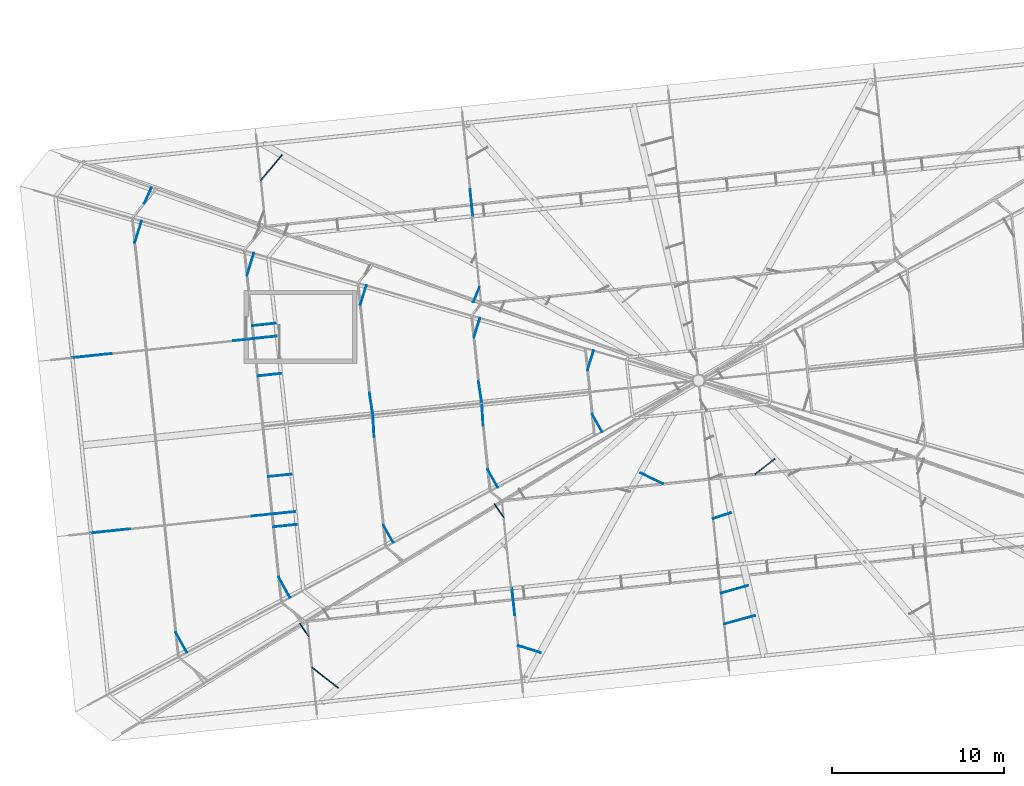
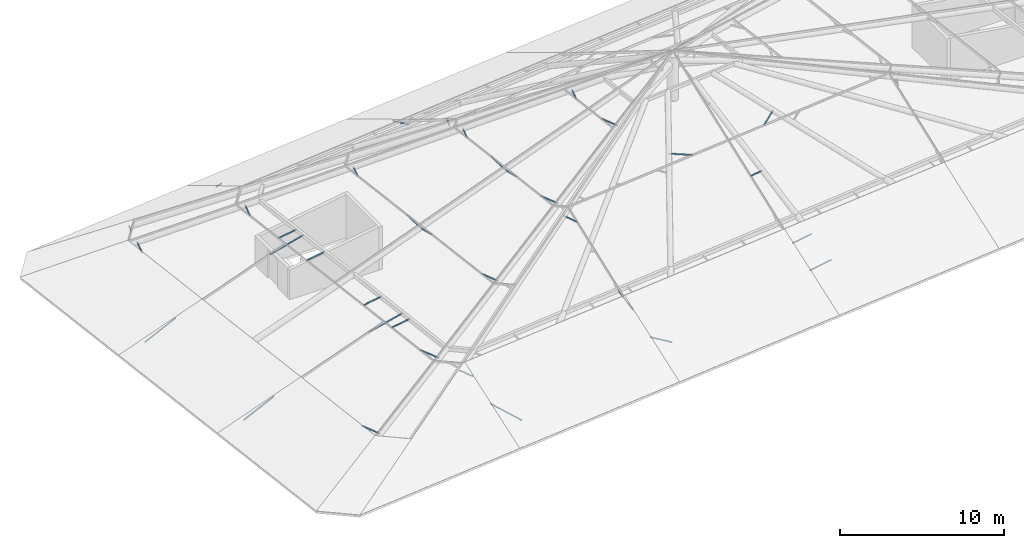
# One storey, part 7 of 20: 36 discrete accessories.
"""IFC4 building model written with IfcOpenShell, lengths in metres."""

from ifc_helpers import new_model, si_unit, direction, frame, origin, origin_2d, place, context, subcontext, project, spatial, rectangle, extrude, material, material_profile, profile_set, type_object, element, save


model = new_model("IFC4")

# Units and contexts
model_context = context("Model", 3, precision=1e-05, world=origin(), true_north=direction((0.0, 1.0)))
body_context = subcontext(model_context, "Body", "Model", "MODEL_VIEW")
ifc_project = project(units=[si_unit("LENGTHUNIT", "METRE"), si_unit("AREAUNIT", "SQUARE_METRE"), si_unit("VOLUMEUNIT", "CUBIC_METRE"), si_unit("PLANEANGLEUNIT", "RADIAN"), si_unit("MASSUNIT", "GRAM", prefix="KILO")], contexts=[model_context])

# Site, building, storey
site_placement = place(None, origin())
site = spatial("IfcSite", under=ifc_project, at=site_placement, CompositionType="ELEMENT")
building_placement = place(site_placement, origin())
building = spatial("IfcBuilding", under=site, at=building_placement, Name="Hakoniwa Tower and Hamabe Station Hall", CompositionType="ELEMENT")
storey_placement = place(building_placement, frame((0.0, 0.0, 285.0)))
storey = spatial("IfcBuildingStorey", under=building, at=storey_placement, Name="Roof", CompositionType="ELEMENT", Elevation=285.0)

# Discrete accessories
ifc_material = material(Name="Stainless steel SUS304", Category="steel")
ifc_material_profile = material_profile(ifc_material, rectangle(XDim=0.050048828125, YDim=0.050048828125, at=origin_2d()), Name="CW-4 GLAZING BRACKET 50X50")
ifc_profile_set = profile_set([ifc_material_profile], Name="Stainless steel SUS304")
discrete_accessory_type = type_object("IfcDiscreteAccessoryType", Name="CW-4 GLAZING BRACKET 50X50", PredefinedType="BRACKET", material=ifc_profile_set)
discrete_accessory_1_placement = place(storey_placement, frame((-11.346923828125, -5.456787109375, 5.94921875), z_axis=(-0.556404607396, 0.803016173312, 0.213492244047), x_axis=(-0.821966816532, -0.569535383028, 0.0)))
element("IfcDiscreteAccessory", 1, at=discrete_accessory_1_placement, inside=storey, type_object=discrete_accessory_type, Name="Glazing bracket", PredefinedType="BRACKET", context=body_context, shape_type="SweptSolid", body=[
    extrude(rectangle(XDim=0.050048828125, YDim=0.050048828125, at=origin_2d()), origin(), (0.0, 0.0, 1.0), 0.958251953125),
])
discrete_accessory_2_placement = place(storey_placement, frame((0.8447265625, -5.53759765625, 5.155029296875), z_axis=(0.940744946867, 0.307474826604, -0.143032080143), x_axis=(-0.310669109987, 0.950518124025, 0.0)))
element("IfcDiscreteAccessory", 2, at=discrete_accessory_2_placement, inside=storey, type_object=discrete_accessory_type, Name="Glazing bracket", PredefinedType="BRACKET", context=body_context, shape_type="SweptSolid", body=[
    extrude(rectangle(XDim=0.050048828125, YDim=0.050048828125, at=origin_2d()), origin(), (0.0, 0.0, 1.0), 1.10595703125),
])
discrete_accessory_3_placement = place(storey_placement, frame((-12.75341796875, 7.923583984375, 5.94921875), z_axis=(-0.377320566867, -0.901136289674, 0.213500766397), x_axis=(0.922404260302, -0.386225815524, 0.0)))
element("IfcDiscreteAccessory", 3, at=discrete_accessory_3_placement, inside=storey, type_object=discrete_accessory_type, Name="Glazing bracket", PredefinedType="BRACKET", context=body_context, shape_type="SweptSolid", body=[
    extrude(rectangle(XDim=0.050048828125, YDim=0.050048828125, at=origin_2d()), origin(), (0.0, 0.0, 1.0), 0.958251953125),
])
discrete_accessory_4_placement = place(storey_placement, frame((-22.693359375, -12.40087890625, 2.616943359375), z_axis=(-0.551562919111, 0.814435459284, 0.180203298868), x_axis=(-0.827990165811, -0.560742619497, 0.0)))
element("IfcDiscreteAccessory", 4, at=discrete_accessory_4_placement, inside=storey, type_object=discrete_accessory_type, Name="Glazing bracket", PredefinedType="BRACKET", context=body_context, shape_type="SweptSolid", body=[
    extrude(rectangle(XDim=0.050048828125, YDim=0.050048828125, at=origin_2d()), origin(), (0.0, 0.0, 1.0), 0.936279296875),
])
discrete_accessory_5_placement = place(storey_placement, frame((-22.5048828125, -14.1943359375, 1.606201171875), z_axis=(0.691291182379, -0.543292075126, -0.476392928444), x_axis=(0.617916283925, 0.786243897312, 0.0)))
element("IfcDiscreteAccessory", 5, at=discrete_accessory_5_placement, inside=storey, type_object=discrete_accessory_type, Name="Glazing bracket", PredefinedType="BRACKET", context=body_context, shape_type="SweptSolid", body=[
    extrude(rectangle(XDim=0.050048828125, YDim=0.050048828125, at=origin_2d()), origin(), (0.0, 0.0, 1.0), 2.20068359375),
])
discrete_accessory_6_placement = place(storey_placement, frame((-10.696044921875, -11.139892578125, 2.616943359375), z_axis=(-0.097948433846, 0.93175460836, 0.349627593458), x_axis=(-0.994520000223, -0.104546492795, 0.0)))
element("IfcDiscreteAccessory", 6, at=discrete_accessory_6_placement, inside=storey, type_object=discrete_accessory_type, Name="Glazing bracket", PredefinedType="BRACKET", context=body_context, shape_type="SweptSolid", body=[
    extrude(rectangle(XDim=0.050048828125, YDim=0.050048828125, at=origin_2d()), origin(), (0.0, 0.0, 1.0), 1.66748046875),
])
discrete_accessory_7_placement = place(storey_placement, frame((-10.507568359375, -12.933349609375, 1.606201171875), z_axis=(0.875057424152, -0.273036238719, -0.399656998916), x_axis=(0.297858334336, 0.954610084101, 0.0)))
element("IfcDiscreteAccessory", 7, at=discrete_accessory_7_placement, inside=storey, type_object=discrete_accessory_type, Name="Glazing bracket", PredefinedType="BRACKET", context=body_context, shape_type="SweptSolid", body=[
    extrude(rectangle(XDim=0.050048828125, YDim=0.050048828125, at=origin_2d()), origin(), (0.0, 0.0, 1.0), 1.492431640625),
])
discrete_accessory_8_placement = place(storey_placement, frame((1.301025390625, -9.87890625, 2.616943359375), z_axis=(0.958908684136, 0.27136685491, -0.082789887939), x_axis=(-0.272301659819, 0.962211934067, 0.0)))
element("IfcDiscreteAccessory", 8, at=discrete_accessory_8_placement, inside=storey, type_object=discrete_accessory_type, Name="Glazing bracket", PredefinedType="BRACKET", context=body_context, shape_type="SweptSolid", body=[
    extrude(rectangle(XDim=0.050048828125, YDim=0.050048828125, at=origin_2d()), origin(), (0.0, 0.0, 1.0), 1.6455078125),
])
discrete_accessory_9_placement = place(storey_placement, frame((1.489501953125, -11.67236328125, 1.606201171875), z_axis=(0.962515279672, 0.262943753252, -0.066520064814), x_axis=(-0.263527443462, 0.964651899154, 0.0)))
element("IfcDiscreteAccessory", 9, at=discrete_accessory_9_placement, inside=storey, type_object=discrete_accessory_type, Name="Glazing bracket", PredefinedType="BRACKET", context=body_context, shape_type="SweptSolid", body=[
    extrude(rectangle(XDim=0.050048828125, YDim=0.050048828125, at=origin_2d()), origin(), (0.0, 0.0, 1.0), 1.8681640625),
])
discrete_accessory_10_placement = place(storey_placement, frame((-25.484130859375, 14.150390625, 1.606201171875), z_axis=(0.563229543667, 0.675165452581, -0.476365503349), x_axis=(-0.76789023079, 0.640581449511, 0.0)))
element("IfcDiscreteAccessory", 10, at=discrete_accessory_10_placement, inside=storey, type_object=discrete_accessory_type, Name="Glazing bracket", PredefinedType="BRACKET", context=body_context, shape_type="SweptSolid", body=[
    extrude(rectangle(XDim=0.050048828125, YDim=0.050048828125, at=origin_2d()), origin(), (0.0, 0.0, 1.0), 2.20068359375),
])
discrete_accessory_11_placement = place(storey_placement, frame((-13.29833984375, 13.617919921875, 2.616943359375), z_axis=(0.097948433846, -0.93175460836, 0.349627593458), x_axis=(0.994520000223, 0.104546492795, 0.0)))
element("IfcDiscreteAccessory", 11, at=discrete_accessory_11_placement, inside=storey, type_object=discrete_accessory_type, Name="Glazing bracket", PredefinedType="BRACKET", context=body_context, shape_type="SweptSolid", body=[
    extrude(rectangle(XDim=0.050048828125, YDim=0.050048828125, at=origin_2d()), origin(), (0.0, 0.0, 1.0), 1.66748046875),
])
discrete_accessory_12_placement = place(storey_placement, frame((-32.8134765625, 10.52978515625, 1.511962890625), z_axis=(0.295979475711, 0.950404610709, -0.095536516058), x_axis=(-0.954771807636, 0.297339528726, 0.0)))
element("IfcDiscreteAccessory", 12, at=discrete_accessory_12_placement, inside=storey, type_object=discrete_accessory_type, Name="Glazing bracket", PredefinedType="BRACKET", context=body_context, shape_type="SweptSolid", body=[
    extrude(rectangle(XDim=0.050048828125, YDim=0.050048828125, at=origin_2d()), origin(), (0.0, 0.0, 1.0), 1.328857421875),
])
discrete_accessory_13_placement = place(storey_placement, frame((-30.4267578125, -12.176513671875, 1.511962890625), z_axis=(0.486989825112, -0.868168205763, -0.095524220693), x_axis=(0.872156484964, 0.489227008387, 0.0)))
element("IfcDiscreteAccessory", 13, at=discrete_accessory_13_placement, inside=storey, type_object=discrete_accessory_type, Name="Glazing bracket", PredefinedType="BRACKET", context=body_context, shape_type="SweptSolid", body=[
    extrude(rectangle(XDim=0.050048828125, YDim=0.050048828125, at=origin_2d()), origin(), (0.0, 0.0, 1.0), 1.3291015625),
])
discrete_accessory_14_placement = place(storey_placement, frame((-26.28515625, 8.615234375, 3.10205078125), z_axis=(0.292556023891, 0.95294773148, -0.079382579653), x_axis=(-0.955964541857, 0.293482188065, 0.0)))
element("IfcDiscreteAccessory", 14, at=discrete_accessory_14_placement, inside=storey, type_object=discrete_accessory_type, Name="Glazing bracket", PredefinedType="BRACKET", context=body_context, shape_type="SweptSolid", body=[
    extrude(rectangle(XDim=0.050048828125, YDim=0.050048828125, at=origin_2d()), origin(), (0.0, 0.0, 1.0), 1.36865234375),
])
discrete_accessory_15_placement = place(storey_placement, frame((-25.9775390625, 5.688232421875, 3.10205078125), z_axis=(0.991612338838, 0.107346882445, 0.071983444583), x_axis=(-0.107626083125, 0.994191443451, 0.0)))
element("IfcDiscreteAccessory", 15, at=discrete_accessory_15_placement, inside=storey, type_object=discrete_accessory_type, Name="Glazing bracket", PredefinedType="BRACKET", context=body_context, shape_type="SweptSolid", body=[
    extrude(rectangle(XDim=0.050048828125, YDim=0.050048828125, at=origin_2d()), origin(), (0.0, 0.0, 1.0), 1.360107421875),
])
for number, where, z_axis, x_axis, name in (
    (16, (-25.669921875, 2.76123046875, 3.10205078125), (0.991646516565, 0.107349613913, 0.071506968736), (-0.107625123449, 0.99419154734, 0.0), "Glazing bracket"),
    (17, (-25.0546875, -3.0927734375, 3.10205078125), (0.992303181265, 0.10110258828, 0.071502888713), (-0.10136203529, 0.99484960562, 0.0), "Glazing bracket"),
):
    element("IfcDiscreteAccessory", number, at=place(storey_placement, frame(where, z_axis=z_axis, x_axis=x_axis)), inside=storey, type_object=discrete_accessory_type, Name=name, PredefinedType="BRACKET", context=body_context, shape_type="SweptSolid", body=[
        extrude(rectangle(XDim=0.050048828125, YDim=0.050048828125, at=origin_2d()), origin(), (0.0, 0.0, 1.0), 1.369140625),
    ])
discrete_accessory_16_placement = place(storey_placement, frame((-24.7470703125, -6.019775390625, 3.101806640625), z_axis=(0.992242406167, 0.101234572554, 0.072156557033), x_axis=(-0.101499148533, 0.994835626044, 0.0)))
element("IfcDiscreteAccessory", 18, at=discrete_accessory_16_placement, inside=storey, type_object=discrete_accessory_type, Name="Glazing bracket", PredefinedType="BRACKET", context=body_context, shape_type="SweptSolid", body=[
    extrude(rectangle(XDim=0.050048828125, YDim=0.050048828125, at=origin_2d()), origin(), (0.0, 0.0, 1.0), 1.360107421875),
])
discrete_accessory_17_placement = place(storey_placement, frame((-24.439453125, -8.94677734375, 3.101806640625), z_axis=(0.484419585685, -0.871241560553, -0.079219998543), x_axis=(0.873988368618, 0.485946840221, 0.0)))
element("IfcDiscreteAccessory", 19, at=discrete_accessory_17_placement, inside=storey, type_object=discrete_accessory_type, Name="Glazing bracket", PredefinedType="BRACKET", context=body_context, shape_type="SweptSolid", body=[
    extrude(rectangle(XDim=0.050048828125, YDim=0.050048828125, at=origin_2d()), origin(), (0.0, 0.0, 1.0), 1.368408203125),
])
discrete_accessory_18_placement = place(storey_placement, frame((-19.693359375, 6.9033203125, 4.812255859375), z_axis=(0.300234887857, 0.947457557415, -0.110377484161), x_axis=(-0.95328236256, 0.302080680005, 0.0)))
element("IfcDiscreteAccessory", 20, at=discrete_accessory_18_placement, inside=storey, type_object=discrete_accessory_type, Name="Glazing bracket", PredefinedType="BRACKET", context=body_context, shape_type="SweptSolid", body=[
    extrude(rectangle(XDim=0.050048828125, YDim=0.050048828125, at=origin_2d()), origin(), (0.0, 0.0, 1.0), 1.200927734375),
])
for number, where, z_axis, x_axis, name in (
    (21, (-19.155029296875, 1.78125, 4.812255859375), (0.153208471756, -0.969824500827, -0.189651263582), (0.987750678846, 0.156040367977, 0.0), "Glazing bracket"),
    (22, (-18.8857421875, -0.779541015625, 4.812255859375), (-0.051878123809, 0.980477945674, -0.18966195801), (-0.998603142337, -0.05283714711, 0.0), "Glazing bracket"),
):
    element("IfcDiscreteAccessory", number, at=place(storey_placement, frame(where, z_axis=z_axis, x_axis=x_axis)), inside=storey, type_object=discrete_accessory_type, Name=name, PredefinedType="BRACKET", context=body_context, shape_type="SweptSolid", body=[
        extrude(rectangle(XDim=0.050048828125, YDim=0.050048828125, at=origin_2d()), origin(), (0.0, 0.0, 1.0), 1.31298828125),
    ])
discrete_accessory_19_placement = place(storey_placement, frame((-18.347412109375, -5.901611328125, 4.812255859375), z_axis=(0.490543199808, -0.864396885861, -0.110387466844), x_axis=(0.869712018535, 0.4935595251, 0.0)))
element("IfcDiscreteAccessory", 23, at=discrete_accessory_19_placement, inside=storey, type_object=discrete_accessory_type, Name="Glazing bracket", PredefinedType="BRACKET", context=body_context, shape_type="SweptSolid", body=[
    extrude(rectangle(XDim=0.050048828125, YDim=0.050048828125, at=origin_2d()), origin(), (0.0, 0.0, 1.0), 1.200927734375),
])
discrete_accessory_20_placement = place(storey_placement, frame((-13.0771484375, 5.00732421875, 6.51220703125), z_axis=(0.297916422298, 0.949341326558, -0.099984253827), x_axis=(-0.954122415347, 0.299416794005, 0.0)))
element("IfcDiscreteAccessory", 24, at=discrete_accessory_20_placement, inside=storey, type_object=discrete_accessory_type, Name="Glazing bracket", PredefinedType="BRACKET", context=body_context, shape_type="SweptSolid", body=[
    extrude(rectangle(XDim=0.050048828125, YDim=0.050048828125, at=origin_2d()), origin(), (0.0, 0.0, 1.0), 1.198974609375),
])
discrete_accessory_21_placement = place(storey_placement, frame((-12.80810546875, 2.44775390625, 6.51220703125), z_axis=(0.150466406426, -0.972344869284, -0.178620591519), x_axis=(0.988237680768, 0.152925754243, 0.0)))
element("IfcDiscreteAccessory", 25, at=discrete_accessory_21_placement, inside=storey, type_object=discrete_accessory_type, Name="Glazing bracket", PredefinedType="BRACKET", context=body_context, shape_type="SweptSolid", body=[
    extrude(rectangle(XDim=0.050048828125, YDim=0.050048828125, at=origin_2d()), origin(), (0.0, 0.0, 1.0), 1.309326171875),
])
discrete_accessory_22_placement = place(storey_placement, frame((-12.5390625, -0.11181640625, 6.51220703125), z_axis=(-0.055001381372, 0.982380604913, -0.178614655439), x_axis=(-0.99843635527, -0.055900308371, 0.0)))
element("IfcDiscreteAccessory", 26, at=discrete_accessory_22_placement, inside=storey, type_object=discrete_accessory_type, Name="Glazing bracket", PredefinedType="BRACKET", context=body_context, shape_type="SweptSolid", body=[
    extrude(rectangle(XDim=0.050048828125, YDim=0.050048828125, at=origin_2d()), origin(), (0.0, 0.0, 1.0), 1.3095703125),
])
discrete_accessory_23_placement = place(storey_placement, frame((-12.27001953125, -2.67138671875, 6.51220703125), z_axis=(0.488732317078, -0.866685308952, -0.099986486536), x_axis=(0.871050320527, 0.491193789771, 0.0)))
element("IfcDiscreteAccessory", 27, at=discrete_accessory_23_placement, inside=storey, type_object=discrete_accessory_type, Name="Glazing bracket", PredefinedType="BRACKET", context=body_context, shape_type="SweptSolid", body=[
    extrude(rectangle(XDim=0.050048828125, YDim=0.050048828125, at=origin_2d()), origin(), (0.0, 0.0, 1.0), 1.198974609375),
])
for number, where, z_axis, x_axis, name in (
    (28, (-6.461181640625, 3.11279296875, 8.212158203125), (0.295847336037, 0.951039952561, -0.089427973212), (-0.954865821134, 0.297037478494, 0.0), "Glazing bracket"),
    (29, (-6.192626953125, 0.557373046875, 8.212158203125), (0.487143079616, -0.868731686407, -0.089425259376), (0.872226229733, 0.489102651972, 0.0), "Glazing bracket"),
):
    element("IfcDiscreteAccessory", number, at=place(storey_placement, frame(where, z_axis=z_axis, x_axis=x_axis)), inside=storey, type_object=discrete_accessory_type, Name=name, PredefinedType="BRACKET", context=body_context, shape_type="SweptSolid", body=[
        extrude(rectangle(XDim=0.050048828125, YDim=0.050048828125, at=origin_2d()), origin(), (0.0, 0.0, 1.0), 1.19580078125),
    ])
discrete_accessory_24_placement = place(storey_placement, frame((-32.257080078125, 12.8134765625, 1.51318359375), z_axis=(0.388546414269, 0.866159259463, -0.314324388499), x_axis=(-0.912403868256, 0.409291071478, 0.0)))
element("IfcDiscreteAccessory", 30, at=discrete_accessory_24_placement, inside=storey, type_object=discrete_accessory_type, Name="Glazing bracket", PredefinedType="BRACKET", context=body_context, shape_type="SweptSolid", body=[
    extrude(rectangle(XDim=0.050048828125, YDim=0.050048828125, at=origin_2d()), origin(), (0.0, 0.0, 1.0), 1.0361328125),
])
discrete_accessory_25_placement = place(storey_placement, frame((-34.16943359375, 4.06689453125, 0.996826171875), z_axis=(-0.93289289482, -0.098004704414, -0.346563016934), x_axis=(0.104479654181, -0.994527024199, 0.0)))
element("IfcDiscreteAccessory", 31, at=discrete_accessory_25_placement, inside=storey, type_object=discrete_accessory_type, Name="Glazing bracket", PredefinedType="BRACKET", context=body_context, shape_type="SweptSolid", body=[
    extrude(rectangle(XDim=0.050048828125, YDim=0.050048828125, at=origin_2d()), origin(), (0.0, 0.0, 1.0), 2.44384765625),
])
discrete_accessory_26_placement = place(storey_placement, frame((-27.082763671875, 4.811767578125, 2.810302734375), z_axis=(0.982778634484, 0.106399844458, 0.151080206187), x_axis=(-0.107635335825, 0.994190441757, 0.0)))
element("IfcDiscreteAccessory", 32, at=discrete_accessory_26_placement, inside=storey, type_object=discrete_accessory_type, Name="Glazing bracket", PredefinedType="BRACKET", context=body_context, shape_type="SweptSolid", body=[
    extrude(rectangle(XDim=0.050048828125, YDim=0.050048828125, at=origin_2d()), origin(), (0.0, 0.0, 1.0), 2.5791015625),
])
discrete_accessory_27_placement = place(storey_placement, frame((-33.09716796875, -6.136962890625, 0.996826171875), z_axis=(-0.932879934524, -0.09801383911, -0.346595318932), x_axis=(0.104490721866, -0.994525861425, 0.0)))
element("IfcDiscreteAccessory", 33, at=discrete_accessory_27_placement, inside=storey, type_object=discrete_accessory_type, Name="Glazing bracket", PredefinedType="BRACKET", context=body_context, shape_type="SweptSolid", body=[
    extrude(rectangle(XDim=0.050048828125, YDim=0.050048828125, at=origin_2d()), origin(), (0.0, 0.0, 1.0), 2.443603515625),
])
discrete_accessory_28_placement = place(storey_placement, frame((-26.01025390625, -5.39208984375, 2.810302734375), z_axis=(0.98342583669, 0.10024525566, 0.151077835726), x_axis=(-0.101409244143, 0.994844794529, 0.0)))
element("IfcDiscreteAccessory", 34, at=discrete_accessory_28_placement, inside=storey, type_object=discrete_accessory_type, Name="Glazing bracket", PredefinedType="BRACKET", context=body_context, shape_type="SweptSolid", body=[
    extrude(rectangle(XDim=0.050048828125, YDim=0.050048828125, at=origin_2d()), origin(), (0.0, 0.0, 1.0), 2.5791015625),
])
discrete_accessory_29_placement = place(storey_placement, frame((-2.074951171875, -3.51318359375, 6.5146484375), z_axis=(-0.893779626858, 0.432200956052, 0.119834520073), x_axis=(-0.435338054393, -0.900267059487, 0.0)))
element("IfcDiscreteAccessory", 35, at=discrete_accessory_29_placement, inside=storey, type_object=discrete_accessory_type, Name="Glazing bracket", PredefinedType="BRACKET", context=body_context, shape_type="SweptSolid", body=[
    extrude(rectangle(XDim=0.050048828125, YDim=0.050048828125, at=origin_2d()), origin(), (0.0, 0.0, 1.0), 1.470947265625),
])
discrete_accessory_30_placement = place(storey_placement, frame((3.280029296875, -2.9501953125, 6.5146484375), z_axis=(0.784464612179, 0.60847890024, 0.119869513226), x_axis=(-0.612898106817, 0.790161952172, 0.0)))
element("IfcDiscreteAccessory", 36, at=discrete_accessory_30_placement, inside=storey, type_object=discrete_accessory_type, Name="Glazing bracket", PredefinedType="BRACKET", context=body_context, shape_type="SweptSolid", body=[
    extrude(rectangle(XDim=0.050048828125, YDim=0.050048828125, at=origin_2d()), origin(), (0.0, 0.0, 1.0), 1.470458984375),
])

save(model, "model.ifc")
